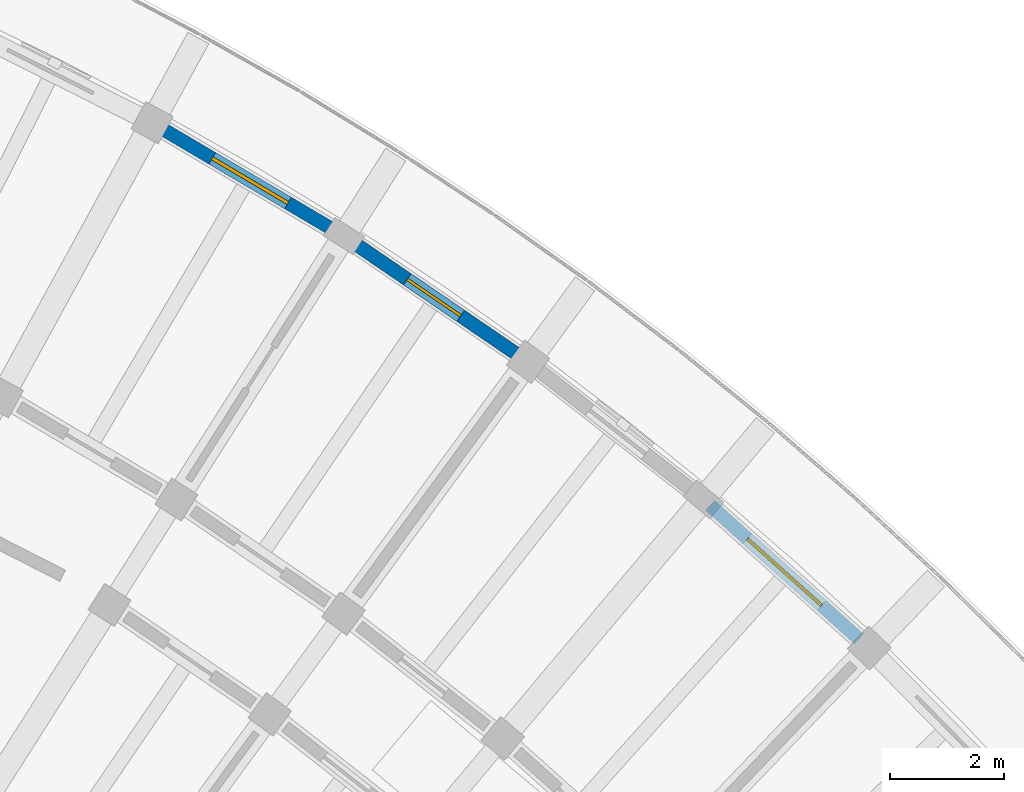
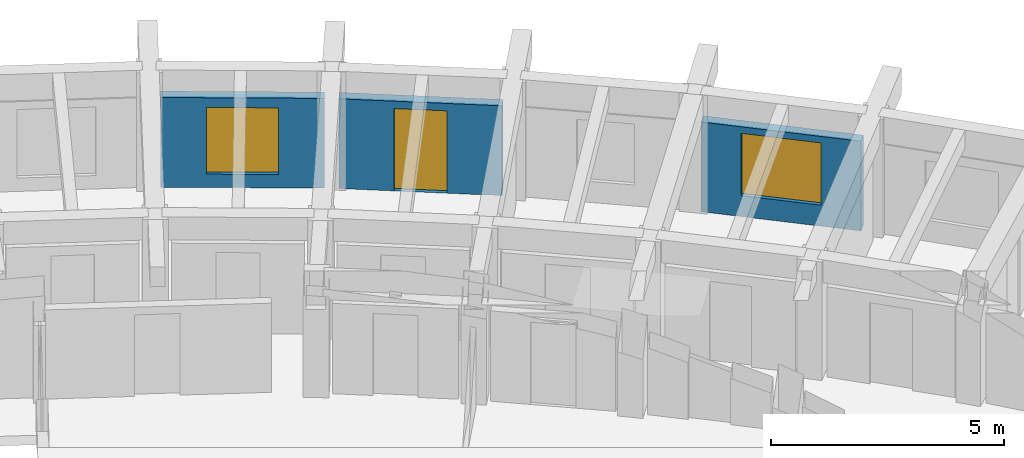
# One storey, part 55 of 78: 3 walls, 2 windows, 1 door, 3 openings.
"""IFC4 building model written with IfcOpenShell, lengths in metres."""

from ifc_helpers import new_model, si_unit, direction, frame, frame_2d, origin, place, context, subcontext, project, spatial, rectangle, extrude, material, layer, layer_set, type_object, element, fill, save


model = new_model("IFC4")

# Units and contexts
model_context = context("Model", 3, precision=1e-05, world=origin(), true_north=direction((0.0, 1.0)))
body_context = subcontext(model_context, "Body", "Model", "MODEL_VIEW")
ifc_project = project(units=[si_unit("LENGTHUNIT", "METRE"), si_unit("AREAUNIT", "SQUARE_METRE"), si_unit("VOLUMEUNIT", "CUBIC_METRE"), si_unit("PLANEANGLEUNIT", "RADIAN"), si_unit("MASSUNIT", "GRAM", prefix="KILO")], contexts=[model_context])

# Site, building, storey
site_placement = place(None, origin())
site = spatial("IfcSite", under=ifc_project, at=site_placement, CompositionType="ELEMENT")
building_placement = place(site_placement, origin())
building = spatial("IfcBuilding", under=site, at=building_placement, Name="Tanwirah Colonnade Gardens", CompositionType="ELEMENT")
storey_placement = place(building_placement, frame((0.0, 0.0, 22.280029296875)))
storey = spatial("IfcBuildingStorey", under=building, at=storey_placement, Name="L06", CompositionType="ELEMENT", Elevation=22.280029296875)

# Wall, opening, window
ifc_material_1 = material(Name="Limestone architectural precast concrete C40/50", Category="masonry")
ifc_layer = layer(ifc_material_1, 0.239990234375)
ifc_layer_set = layer_set([ifc_layer], Name="Limestone architectural precast concrete C40/50")
wall_type = type_object("IfcWallType", Name="EW-PC240", PredefinedType="SOLIDWALL", material=ifc_layer_set)
wall_1_placement = place(storey_placement, frame((162.01806640625, 103.3603515625, 0.0), z_axis=(0.0, 0.0, 1.0), x_axis=(-0.744413726571, 0.667718656092, 0.0)))
wall_1 = element("IfcWall", 1, at=wall_1_placement, inside=storey, type_object=wall_type, Name="Block B L06 OUT Precast Facade Wall 8", PredefinedType="SOLIDWALL", context=body_context, shape_type="SweptSolid", body=[
    extrude(rectangle(XDim=3.520751953125, YDim=0.239990234375, at=frame_2d((1.76025390625, 0.0))), origin(), (0.0, 0.0, 1.0), 2.35498046875),
])
opening_1_placement = place(wall_1_placement, frame((0.88037109375, 0.0, 0.550048828125)))
opening_1 = element("IfcOpeningElement", 2, at=opening_1_placement, cuts=wall_1, Name="Opening WIN-U16", PredefinedType="OPENING", context=body_context, shape_type="SweptSolid", body=[
    extrude(rectangle(XDim=1.760009765625, YDim=1.635009765625, at=frame_2d((0.8798828125, 0.8173828125))), frame((0.0, 0.1298828125, 0.0), z_axis=(0.0, -1.0, 0.0), x_axis=(1.0, 0.0, 0.0)), (0.0, 0.0, 1.0), 0.260009765625),
])
ifc_material_2 = material(Name="Thermally broken bronze aluminium and solar low-E double glazing", Category="aluminium")
window_type_1 = type_object("IfcWindowType", Name="WIN-U16", PartitioningType="DOUBLE_PANEL_VERTICAL", PredefinedType="WINDOW", material=ifc_material_2)
window_1_placement = place(opening_1_placement, origin())
window_1 = element("IfcWindow", 3, at=window_1_placement, inside=storey, type_object=window_type_1, Name="Facade window B-L06-OUT-08", OverallHeight=1.635009765625, OverallWidth=1.760009765625, PartitioningType="SINGLE_PANEL", PredefinedType="WINDOW", context=body_context, shape_type="SweptSolid", body=[
    extrude(rectangle(XDim=1.760009765625, YDim=1.635009765625, at=frame_2d((0.8798828125, 0.8173828125))), frame((0.0, 0.030029296875, 0.0), z_axis=(0.0, -1.0, 0.0), x_axis=(1.0, 0.0, 0.0)), (0.0, 0.0, 1.0), 0.06005859375),
])
fill(opening_1, window_1)

# Wall, opening, door
wall_2_placement = place(storey_placement, frame((155.98681640625, 108.37890625, 0.0), z_axis=(0.0, 0.0, 1.0), x_axis=(-0.825745840472, 0.56404238045, 0.0)))
wall_2 = element("IfcWall", 4, at=wall_2_placement, inside=storey, type_object=wall_type, Name="Block B L06 OUT Precast Facade Wall 10", PredefinedType="SOLIDWALL", context=body_context, shape_type="SweptSolid", body=[
    extrude(rectangle(XDim=3.520751953125, YDim=0.239990234375, at=frame_2d((1.76025390625, 0.0))), origin(), (0.0, 0.0, 1.0), 2.35498046875),
])
opening_2_placement = place(wall_2_placement, frame((1.1904296875, 0.0, 0.0)))
opening_2 = element("IfcOpeningElement", 5, at=opening_2_placement, cuts=wall_2, Name="Opening L06-ED097", PredefinedType="OPENING", context=body_context, shape_type="SweptSolid", body=[
    extrude(rectangle(XDim=1.139892578125, YDim=2.159912109375, at=frame_2d((0.56982421875, 1.080078125))), frame((0.0, 0.1298828125, 0.0), z_axis=(0.0, -1.0, 0.0), x_axis=(1.0, 0.0, 0.0)), (0.0, 0.0, 1.0), 0.260009765625),
])
ifc_material_3 = material(Name="Bronze aluminium glazed balcony door", Category="aluminium")
door_type = type_object("IfcDoorType", Name="ED-BAL114", OperationType="NOTDEFINED", PredefinedType="DOOR", material=ifc_material_3)
door_placement = place(opening_2_placement, origin())
door = element("IfcDoor", 6, at=door_placement, inside=storey, type_object=door_type, Name="Balcony glazed door L06-ED097", OperationType="SINGLE_SWING_LEFT", OverallHeight=2.159912109375, OverallWidth=1.139892578125, PredefinedType="DOOR", context=body_context, shape_type="SweptSolid", body=[
    extrude(rectangle(XDim=1.139892578125, YDim=2.159912109375, at=frame_2d((0.56982421875, 1.080078125))), frame((0.0, 0.02490234375, 0.0), z_axis=(0.0, -1.0, 0.0), x_axis=(1.0, 0.0, 0.0)), (0.0, 0.0, 1.0), 0.050048828125),
])
fill(opening_2, door)

# Wall, opening, window
wall_3_placement = place(storey_placement, frame((152.8095703125, 110.536376953125, 0.0), z_axis=(0.0, 0.0, 1.0), x_axis=(-0.861136297738, 0.508374150324, 0.0)))
wall_3 = element("IfcWall", 7, at=wall_3_placement, inside=storey, type_object=wall_type, Name="Block B L06 OUT Precast Facade Wall 11", PredefinedType="SOLIDWALL", context=body_context, shape_type="SweptSolid", body=[
    extrude(rectangle(XDim=3.5205078125, YDim=0.239990234375, at=frame_2d((1.76025390625, 0.0))), origin(), (0.0, 0.0, 1.0), 2.35498046875),
])
opening_3_placement = place(wall_3_placement, frame((0.9853515625, 0.0, 0.35009765625)))
opening_3 = element("IfcOpeningElement", 8, at=opening_3_placement, cuts=wall_3, Name="Opening WIN-T09", PredefinedType="OPENING", context=body_context, shape_type="SweptSolid", body=[
    extrude(rectangle(XDim=1.550048828125, YDim=1.75, at=frame_2d((0.77490234375, 0.875))), frame((0.0, 0.1298828125, 0.0), z_axis=(0.0, -1.0, 0.0), x_axis=(1.0, 0.0, 0.0)), (0.0, 0.0, 1.0), 0.260009765625),
])
window_type_2 = type_object("IfcWindowType", Name="WIN-T09", PartitioningType="DOUBLE_PANEL_VERTICAL", PredefinedType="WINDOW", material=ifc_material_2)
window_2_placement = place(opening_3_placement, origin())
window_2 = element("IfcWindow", 9, at=window_2_placement, inside=storey, type_object=window_type_2, Name="Facade window B-L06-OUT-11", OverallHeight=1.75, OverallWidth=1.550048828125, PartitioningType="SINGLE_PANEL", PredefinedType="WINDOW", context=body_context, shape_type="SweptSolid", body=[
    extrude(rectangle(XDim=1.550048828125, YDim=1.75, at=frame_2d((0.77490234375, 0.875))), frame((0.0, 0.030029296875, 0.0), z_axis=(0.0, -1.0, 0.0), x_axis=(1.0, 0.0, 0.0)), (0.0, 0.0, 1.0), 0.06005859375),
])
fill(opening_3, window_2)

save(model, "model.ifc")
